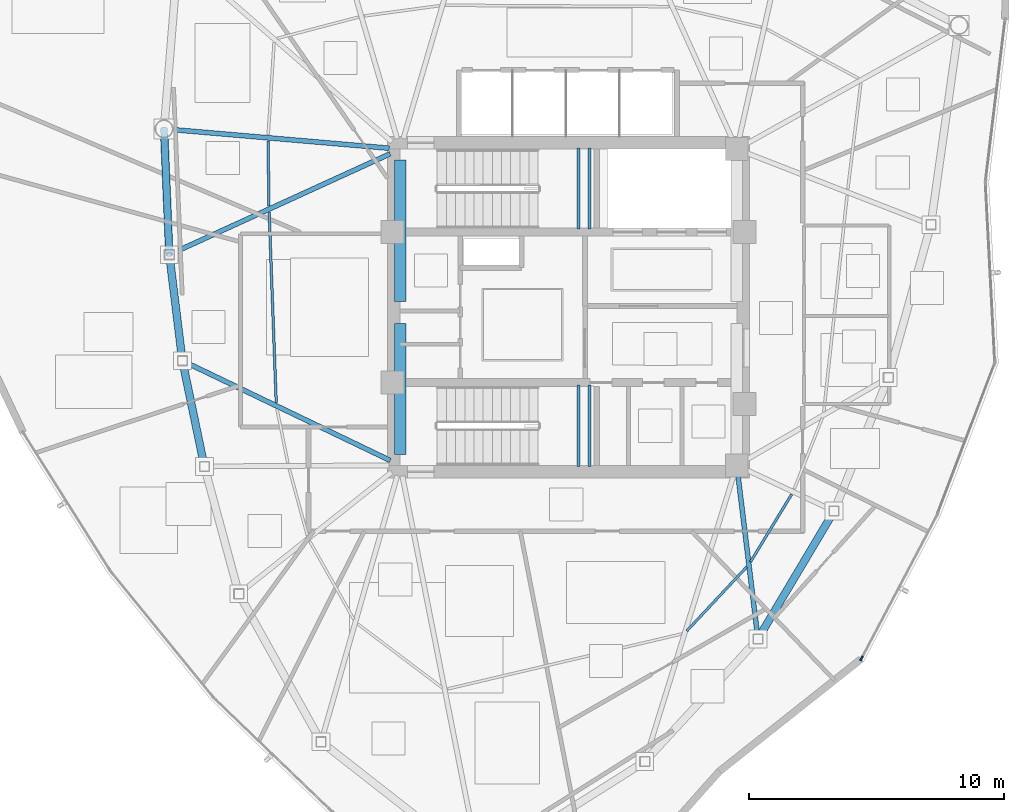
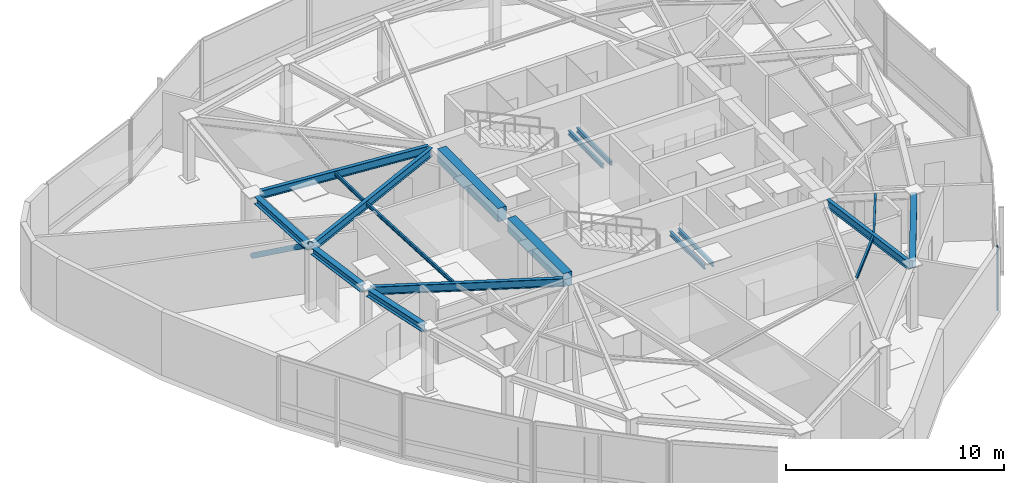
# One storey, part 3 of 12: 18 beams, 2 members, 1 element without a shape of its own.
"""IFC4 building model written with IfcOpenShell, lengths in metres."""

import ifcopenshell
import ifcopenshell.guid

model = None  # the IFC model being written
_history = None  # IfcOwnerHistory: only IFC2X3 demands one
_inside = {}  # id of a spatial element -> (the spatial element, [elements in it])
_under = {}  # id of a project, library or spatial element -> (it, [spatial elements below it])
_declared = {}  # id of a project -> (the project, [libraries it declares])
_typed = {}  # id of a type object -> (the type object, [elements of that type])
_made_of = {}  # id of a material, layer set ... -> (it, [elements and type objects made of it])


def new_model(schema):
    """Start an empty IFC model of exactly this schema.

    Asked for "IFC4X3", IfcOpenShell would pick the latest addendum, in which some entities
    have other attributes; the version numbers below select the first issue.
    IFC2X3 requires an IfcOwnerHistory on every rooted entity: one is made here for all.
    """
    global model, _history
    if schema == "IFC4X3":
        model = ifcopenshell.file(schema_version=(4, 3, 0, 0))
    else:
        model = ifcopenshell.file(schema=schema)
    _inside.clear()
    _under.clear()
    _declared.clear()
    _typed.clear()
    _made_of.clear()
    _history = None
    if model.schema == "IFC2X3":
        org = make("IfcOrganization", Name="unknown")
        user = make(
            "IfcPersonAndOrganization",
            ThePerson=make("IfcPerson", FamilyName="unknown"),
            TheOrganization=org,
        )
        app = make(
            "IfcApplication",
            ApplicationDeveloper=org,
            Version="unknown",
            ApplicationFullName="unknown",
            ApplicationIdentifier="unknown",
        )
        _history = make(
            "IfcOwnerHistory",
            OwningUser=user,
            OwningApplication=app,
            ChangeAction="ADDED",
            CreationDate=0,
        )
    return model


def make(cls, **values):
    """One entity of the class cls with the attributes given. An attribute that is None is left unset."""
    return model.create_entity(
        cls, **{name: value for name, value in values.items() if value is not None}
    )


def rooted(cls, **values):
    """An entity with a GlobalId (a new one), such as an element, a storey or a relation."""
    return make(cls, GlobalId=ifcopenshell.guid.new(), OwnerHistory=_history, **values)


def si_unit(unit_type, name, prefix=None):
    """IfcSIUnit, for example si_unit("LENGTHUNIT", "METRE", prefix="MILLI")."""
    return make("IfcSIUnit", UnitType=unit_type, Prefix=prefix, Name=name)


def assignment(units):
    """IfcUnitAssignment: the units of a project."""
    return None if units is None else make("IfcUnitAssignment", Units=units)


def point(xyz):
    """IfcCartesianPoint."""
    return None if xyz is None else make("IfcCartesianPoint", Coordinates=xyz)


def direction(xyz):
    """IfcDirection."""
    return None if xyz is None else make("IfcDirection", DirectionRatios=xyz)


def frame(location, z_axis=None, x_axis=None):
    """IfcAxis2Placement3D, a coordinate frame: its origin and axes. An axis left out is left unset."""
    return make(
        "IfcAxis2Placement3D",
        Location=point(location),
        Axis=direction(z_axis),
        RefDirection=direction(x_axis),
    )


def frame_2d(location, x_axis=None):
    """IfcAxis2Placement2D, a coordinate frame in the plane: its origin and x axis."""
    return make(
        "IfcAxis2Placement2D", Location=point(location), RefDirection=direction(x_axis)
    )


def origin():
    """The frame at (0, 0, 0) with its axes left unset."""
    return frame((0.0, 0.0, 0.0))


def origin_2d():
    """The frame at (0, 0) in the plane with its x axis left unset."""
    return frame_2d((0.0, 0.0))


def place(relative_to, where):
    """IfcLocalPlacement: puts the frame where relative to a parent placement (None: the world)."""
    return make(
        "IfcLocalPlacement", PlacementRelTo=relative_to, RelativePlacement=where
    )


def context(
    kind, dimensions, precision=None, world=None, true_north=None, identifier=None
):
    """IfcGeometricRepresentationContext, for example the 3D "Model" context."""
    return make(
        "IfcGeometricRepresentationContext",
        ContextIdentifier=identifier,
        ContextType=kind,
        CoordinateSpaceDimension=dimensions,
        Precision=precision,
        WorldCoordinateSystem=world,
        TrueNorth=true_north,
    )


def subcontext(parent, identifier, kind, view, scale=None):
    """IfcGeometricRepresentationSubContext, for example "Body" below "Model"."""
    return make(
        "IfcGeometricRepresentationSubContext",
        ContextIdentifier=identifier,
        ContextType=kind,
        ParentContext=parent,
        TargetScale=scale,
        TargetView=view,
    )


def project(units=None, contexts=None):
    """IfcProject with its units and contexts."""
    return rooted(
        "IfcProject",
        Name="project",
        RepresentationContexts=contexts,
        UnitsInContext=assignment(units),
    )


def spatial(cls, under=None, at=None, **own):
    """A site, building, storey or space (cls), placed at a placement, below another one or the project."""
    s = rooted(cls, ObjectPlacement=at, **own)
    if under is not None:
        _under.setdefault(under.id(), (under, []))[1].append(s)
    return s


def profile(cls, at=None, kind="AREA", **sizes):
    """A parametric profile (cls). Its sizes go by their IFC names, for example OverallWidth=200.0."""
    return make(cls, ProfileType=kind, Position=at, **sizes)


def rectangle(**sizes):
    """IfcRectangleProfileDef."""
    return profile("IfcRectangleProfileDef", **sizes)


def hollow_rectangle(**sizes):
    """IfcRectangleHollowProfileDef."""
    return profile("IfcRectangleHollowProfileDef", **sizes)


def hollow_circle(**sizes):
    """IfcCircleHollowProfileDef."""
    return profile("IfcCircleHollowProfileDef", **sizes)


def i_section(**sizes):
    """IfcIShapeProfileDef."""
    return profile("IfcIShapeProfileDef", **sizes)


def extrude(swept, where, along, depth):
    """IfcExtrudedAreaSolid: the profile swept, set in the frame where, extruded along a direction by depth."""
    return make(
        "IfcExtrudedAreaSolid",
        SweptArea=swept,
        Position=where,
        ExtrudedDirection=direction(along),
        Depth=depth,
    )


def shape(context_of_items, identifier, shape_type, items):
    """IfcShapeRepresentation: the items that make up one representation, for example the "Body"."""
    return make(
        "IfcShapeRepresentation",
        ContextOfItems=context_of_items,
        RepresentationIdentifier=identifier,
        RepresentationType=shape_type,
        Items=items,
    )


def source(mapping_origin, context_of_items, identifier, shape_type, items):
    """IfcRepresentationMap: a shape defined once, which mapped items show again and again."""
    return make(
        "IfcRepresentationMap",
        MappingOrigin=mapping_origin,
        MappedRepresentation=shape(context_of_items, identifier, shape_type, items),
    )


def transform(
    local_origin,
    x_axis=None,
    y_axis=None,
    z_axis=None,
    scale=None,
    scale2=None,
    scale3=None,
    uniform=True,
):
    """IfcCartesianTransformationOperator3D, or its non-uniform kind. x_axis, y_axis, z_axis: its Axis1, 2, 3."""
    if uniform:
        return make(
            "IfcCartesianTransformationOperator3D",
            Axis1=direction(x_axis),
            Axis2=direction(y_axis),
            LocalOrigin=point(local_origin),
            Scale=scale,
            Axis3=direction(z_axis),
        )
    return make(
        "IfcCartesianTransformationOperator3DnonUniform",
        Axis1=direction(x_axis),
        Axis2=direction(y_axis),
        LocalOrigin=point(local_origin),
        Scale=scale,
        Axis3=direction(z_axis),
        Scale2=scale2,
        Scale3=scale3,
    )


def mapped(mapping_source, mapping_target):
    """IfcMappedItem: shows the shape of a source again, moved by a transform."""
    return make(
        "IfcMappedItem", MappingSource=mapping_source, MappingTarget=mapping_target
    )


def material(Name=None, Category=None):
    """IfcMaterial."""
    return make("IfcMaterial", Name=Name, Category=Category)


def layer(
    of_material, thickness, ventilated=None, Name=None, Category=None, Priority=None
):
    """IfcMaterialLayer: one layer of a wall or slab, of a material (None: an air gap)."""
    return make(
        "IfcMaterialLayer",
        Material=of_material,
        LayerThickness=thickness,
        IsVentilated=ventilated,
        Name=Name,
        Category=Category,
        Priority=Priority,
    )


def layer_set(layers, Name=None):
    """IfcMaterialLayerSet."""
    return make("IfcMaterialLayerSet", MaterialLayers=layers, LayerSetName=Name)


def material_profile(
    of_material, cross_section, Name=None, Category=None, Priority=None
):
    """IfcMaterialProfile: a cross section and its material."""
    return make(
        "IfcMaterialProfile",
        Name=Name,
        Material=of_material,
        Profile=cross_section,
        Priority=Priority,
        Category=Category,
    )


def profile_set(profiles, Name=None, composite=None):
    """IfcMaterialProfileSet."""
    return make(
        "IfcMaterialProfileSet",
        Name=Name,
        MaterialProfiles=profiles,
        CompositeProfile=composite,
    )


def made_of(thing, what):
    """Note that an element or type object is made of a material, layer set ...; save() writes the relation."""
    if what is not None:
        _made_of.setdefault(what.id(), (what, []))[1].append(thing)
    return thing


def type_object(cls, material=None, **own):
    """A type object (cls), such as IfcWallType, which elements share."""
    return made_of(rooted(cls, **own), material)


def type_shapes(of_type, sources):
    """Give a type object the sources (RepresentationMaps) that its elements show as mapped items."""
    of_type.RepresentationMaps = sources


def element(
    cls,
    number,
    at=None,
    inside=None,
    cuts=None,
    type_object=None,
    material=None,
    context=None,
    identifier="Body",
    shape_type=None,
    held_by="IfcProductDefinitionShape",
    body=None,
    shapes=None,
    **own,
):
    """One element of the class cls, such as IfcWall. Its Tag is "e" and its number.

    at: its placement. inside: the storey or other place that contains it. cuts: it is an
    opening in that element (IfcRelVoidsElement). A single representation is given by context,
    identifier, shape_type and body (its items); several are given by shapes. held_by: the class
    of the entity that holds the representations. save() writes the other relations.
    """
    e = rooted(cls, Tag="e%d" % number, ObjectPlacement=at, **own)
    if body is not None:
        shapes = [shape(context, identifier, shape_type, body)]
    if shapes is not None:
        e.Representation = make(held_by, Representations=shapes)
    if inside is not None:
        _inside.setdefault(inside.id(), (inside, []))[1].append(e)
    if cuts is not None:
        rooted(
            "IfcRelVoidsElement", RelatingBuildingElement=cuts, RelatedOpeningElement=e
        )
    if type_object is not None:
        _typed.setdefault(type_object.id(), (type_object, []))[1].append(e)
    return made_of(e, material)


def aggregate(whole, parts):
    """IfcRelAggregates: a whole, such as a stair, and the parts it consists of."""
    return rooted("IfcRelAggregates", RelatingObject=whole, RelatedObjects=parts)


def save(model, path):
    """Write the relations noted so far, then the file.

    IfcRelAggregates (storeys below a building ...), IfcRelContainedInSpatialStructure (elements
    in a storey), IfcRelDefinesByType, IfcRelAssociatesMaterial and IfcRelDeclares: one each for
    every whole, place, type object, material and project.
    """
    for whole, parts in _under.values():
        aggregate(whole, parts)
    for where, things in _inside.values():
        rooted(
            "IfcRelContainedInSpatialStructure",
            RelatedElements=things,
            RelatingStructure=where,
        )
    for kind, things in _typed.values():
        rooted("IfcRelDefinesByType", RelatedObjects=things, RelatingType=kind)
    for what, things in _made_of.values():
        rooted("IfcRelAssociatesMaterial", RelatedObjects=things, RelatingMaterial=what)
    for by, libraries in _declared.values():
        rooted("IfcRelDeclares", RelatingContext=by, RelatedDefinitions=libraries)
    model.write(path)


model = new_model("IFC4")

# Units and contexts
model_context = context("Model", 3, precision=1e-05, world=origin(), true_north=direction((0.0, 1.0)))
body_context = subcontext(model_context, "Body", "Model", "MODEL_VIEW")
ifc_project = project(units=[si_unit("LENGTHUNIT", "METRE"), si_unit("AREAUNIT", "SQUARE_METRE"), si_unit("VOLUMEUNIT", "CUBIC_METRE"), si_unit("PLANEANGLEUNIT", "RADIAN"), si_unit("MASSUNIT", "GRAM", prefix="KILO")], contexts=[model_context])

# Site, building, storey
site_placement = place(None, origin())
site = spatial("IfcSite", under=ifc_project, at=site_placement, CompositionType="ELEMENT")
building_placement = place(site_placement, origin())
building = spatial("IfcBuilding", under=site, at=building_placement, Name="Tavelor Broadcast Tower", CompositionType="ELEMENT")
storey_placement = place(building_placement, frame((0.0, 0.0, 321.5)))
storey = spatial("IfcBuildingStorey", under=building, at=storey_placement, Name="L77", CompositionType="ELEMENT", Elevation=321.5)

# Beams
ifc_material_1 = material(Name="Concrete C40/50", Category="concrete")
ifc_material_profile_1 = material_profile(ifc_material_1, rectangle(XDim=0.449951171875, YDim=0.75, at=origin_2d()), Name="RC 450x750")
ifc_profile_set_1 = profile_set([ifc_material_profile_1], Name="Concrete C40/50")
beam_type_1 = type_object("IfcBeamType", Name="Basement Core Trim Beam 450x750", PredefinedType="BEAM", material=ifc_profile_set_1)
beam_1_placement = place(storey_placement, frame((43.39990234375, 45.23193359375, 3.175048828125), z_axis=(0.0, 1.0, 0.0), x_axis=(-1.0, 0.0, 0.0)))
element("IfcBeam", 1, at=beam_1_placement, inside=storey, type_object=beam_type_1, Name="L77 Core West-N Tie Girder", PredefinedType="BEAM", context=body_context, shape_type="SweptSolid", body=[
    extrude(rectangle(XDim=0.449951171875, YDim=0.75, at=origin_2d()), origin(), (0.0, 0.0, 1.0), 5.5361328125),
])
beam_2_placement = place(storey_placement, frame((43.39990234375, 39.23193359375, 3.175048828125), z_axis=(0.0, 1.0, 0.0), x_axis=(-1.0, 0.0, 0.0)))
element("IfcBeam", 2, at=beam_2_placement, inside=storey, type_object=beam_type_1, Name="L77 Core West-S Tie Girder", PredefinedType="BEAM", context=body_context, shape_type="SweptSolid", body=[
    extrude(rectangle(XDim=0.449951171875, YDim=0.75, at=origin_2d()), origin(), (0.0, 0.0, 1.0), 5.135986328125),
])
ifc_material_2 = material(Name="Steel S355", Category="steel")
ifc_material_profile_2 = material_profile(ifc_material_2, i_section(OverallWidth=0.10009765625, OverallDepth=0.199951171875, WebThickness=0.005615234375, FlangeThickness=0.008544921875, at=origin_2d()), Name="IPE 200")
ifc_profile_set_2 = profile_set([ifc_material_profile_2], Name="Steel S355")
beam_type_2 = type_object("IfcBeamType", Name="Composite Floor Joist T8 IPE 200", PredefinedType="JOIST", material=ifc_profile_set_2)
beam_3_placement = place(storey_placement, frame((38.21435546875, 51.521728515625, 3.449951171875), z_axis=(0.014168036859, -0.999899628329, 0.0), x_axis=(0.999899628329, 0.014168036859, 0.0)))
element("IfcBeam", 3, at=beam_3_placement, inside=storey, type_object=beam_type_2, Name="L77 Secondary Composite Floor Joist 01", PredefinedType="JOIST", context=body_context, shape_type="SweptSolid", body=[
    extrude(i_section(OverallWidth=0.10009765625, OverallDepth=0.199951171875, WebThickness=0.005615234375, FlangeThickness=0.008544921875, at=origin_2d()), origin(), (0.0, 0.0, 1.0), 2.55029296875),
])
beam_4_placement = place(storey_placement, frame((38.2568359375, 48.72412109375, 3.449951171875), z_axis=(0.037276284898, -0.999304997778, 0.0), x_axis=(0.999304997778, 0.037276284898, 0.0)))
element("IfcBeam", 4, at=beam_4_placement, inside=storey, type_object=beam_type_2, Name="L77 Secondary Composite Floor Joist 02", PredefinedType="JOIST", context=body_context, shape_type="SweptSolid", body=[
    extrude(i_section(OverallWidth=0.10009765625, OverallDepth=0.199951171875, WebThickness=0.005615234375, FlangeThickness=0.008544921875, at=origin_2d()), origin(), (0.0, 0.0, 1.0), 7.472900390625),
])
beam_5_placement = place(storey_placement, frame((54.64013671875, 32.302490234375, 3.449951171875), z_axis=(0.683232798119, 0.730200618717, 0.0), x_axis=(-0.730200618717, 0.683232798119, 0.0)))
element("IfcBeam", 5, at=beam_5_placement, inside=storey, type_object=beam_type_2, Name="L77 Secondary Composite Floor Joist 08", PredefinedType="JOIST", context=body_context, shape_type="SweptSolid", body=[
    extrude(i_section(OverallWidth=0.10009765625, OverallDepth=0.199951171875, WebThickness=0.005615234375, FlangeThickness=0.008544921875, at=origin_2d()), origin(), (0.0, 0.0, 1.0), 3.441162109375),
])
beam_6_placement = place(storey_placement, frame((57.139892578125, 35.011474609375, 3.449951171875), z_axis=(0.519987009808, 0.854174168206, 0.0), x_axis=(-0.854174168206, 0.519987009808, 0.0)))
element("IfcBeam", 6, at=beam_6_placement, inside=storey, type_object=beam_type_2, Name="L77 Secondary Composite Floor Joist 09", PredefinedType="JOIST", context=body_context, shape_type="SweptSolid", body=[
    extrude(i_section(OverallWidth=0.10009765625, OverallDepth=0.199951171875, WebThickness=0.005615234375, FlangeThickness=0.008544921875, at=origin_2d()), origin(), (0.0, 0.0, 1.0), 3.09326171875),
])
ifc_material_profile_3 = material_profile(ifc_material_2, i_section(OverallWidth=0.300048828125, OverallDepth=0.39990234375, WebThickness=0.013427734375, FlangeThickness=0.02392578125, at=origin_2d()), Name="HEB 400")
ifc_profile_set_3 = profile_set([ifc_material_profile_3], Name="Steel S355")
beam_type_3 = type_object("IfcBeamType", Name="Perimeter Spandrel Beam T8 HEB 400", PredefinedType="SPANDREL", material=ifc_profile_set_3)
beam_7_placement = place(storey_placement, frame((34.149169921875, 51.65478515625, 3.35009765625), z_axis=(0.041837988246, -0.999124408039, 0.0), x_axis=(0.999124408039, 0.041837988246, 0.0)))
element("IfcBeam", 7, at=beam_7_placement, inside=storey, type_object=beam_type_3, Name="L77 Framed-Tube Ring Spandrel 01", PredefinedType="SPANDREL", context=body_context, shape_type="SweptSolid", body=[
    extrude(i_section(OverallWidth=0.300048828125, OverallDepth=0.39990234375, WebThickness=0.013427734375, FlangeThickness=0.02392578125, at=origin_2d()), origin(), (0.0, 0.0, 1.0), 4.40576171875),
])
beam_8_placement = place(storey_placement, frame((34.364990234375, 46.87060546875, 3.35009765625), z_axis=(0.122298070905, -0.992493416529, 0.0), x_axis=(0.992493416529, 0.122298070905, 0.0)))
element("IfcBeam", 8, at=beam_8_placement, inside=storey, type_object=beam_type_3, Name="L77 Framed-Tube Ring Spandrel 02", PredefinedType="SPANDREL", context=body_context, shape_type="SweptSolid", body=[
    extrude(i_section(OverallWidth=0.300048828125, OverallDepth=0.39990234375, WebThickness=0.013427734375, FlangeThickness=0.02392578125, at=origin_2d()), origin(), (0.0, 0.0, 1.0), 3.806884765625),
])
beam_9_placement = place(storey_placement, frame((34.893310546875, 42.7138671875, 3.35009765625), z_axis=(0.203708583251, -0.979031569006, 0.0), x_axis=(0.979031569006, 0.203708583251, 0.0)))
element("IfcBeam", 9, at=beam_9_placement, inside=storey, type_object=beam_type_3, Name="L77 Framed-Tube Ring Spandrel 03", PredefinedType="SPANDREL", context=body_context, shape_type="SweptSolid", body=[
    extrude(i_section(OverallWidth=0.300048828125, OverallDepth=0.39990234375, WebThickness=0.013427734375, FlangeThickness=0.02392578125, at=origin_2d()), origin(), (0.0, 0.0, 1.0), 3.849609375),
])
beam_10_placement = place(storey_placement, frame((57.52978515625, 32.156982421875, 3.35009765625), z_axis=(0.511792514175, 0.859109086458, 0.0), x_axis=(-0.859109086458, 0.511792514175, 0.0)))
element("IfcBeam", 10, at=beam_10_placement, inside=storey, type_object=beam_type_3, Name="L77 Framed-Tube Ring Spandrel 09", PredefinedType="SPANDREL", context=body_context, shape_type="SweptSolid", body=[
    extrude(i_section(OverallWidth=0.300048828125, OverallDepth=0.39990234375, WebThickness=0.013427734375, FlangeThickness=0.02392578125, at=origin_2d()), origin(), (0.0, 0.0, 1.0), 5.450439453125),
])

# Member
ifc_material_profile_4 = material_profile(ifc_material_2, hollow_circle(Radius=0.136474609375, WallThickness=0.012451171875, at=origin_2d()), Name="CHS 273x12.5")
ifc_profile_set_4 = profile_set([ifc_material_profile_4], Name="Steel S355")
member_type_1 = type_object("IfcMemberType", Name="Perimeter Tube Brace T8 CHS 273x12.5", PredefinedType="BRACE", material=ifc_profile_set_4)
member_1_placement = place(storey_placement, frame((34.134765625, 51.995849609375, 0.0), z_axis=(0.033997616695, -0.811286692611, 0.583659202318), x_axis=(0.999123106787, 0.041869051625, 0.0)))
element("IfcMember", 11, at=member_1_placement, inside=storey, type_object=member_type_1, Name="L77 Corner Tube Diagonal Brace 1", PredefinedType="BRACE", context=body_context, shape_type="SweptSolid", body=[
    extrude(hollow_circle(Radius=0.136474609375, WallThickness=0.012451171875, at=origin_2d()), origin(), (0.0, 0.0, 1.0), 6.08251953125),
])

# Beams
ifc_material_profile_5 = material_profile(ifc_material_2, i_section(OverallWidth=0.18994140625, OverallDepth=0.449951171875, WebThickness=0.009521484375, FlangeThickness=0.0146484375, at=origin_2d()), Name="IPE 450")
ifc_profile_set_5 = profile_set([ifc_material_profile_5], Name="Steel S355")
beam_type_4 = type_object("IfcBeamType", Name="Radial Floor Girder T8 IPE 450", PredefinedType="BEAM", material=ifc_profile_set_5)
beam_11_placement = place(storey_placement, frame((42.969482421875, 51.237060546875, 3.324951171875), z_axis=(-0.99633041069, 0.085590377581, 0.0), x_axis=(-0.085590377581, -0.99633041069, 0.0)))
element("IfcBeam", 12, at=beam_11_placement, inside=storey, type_object=beam_type_4, Name="L77 Radial Primary Floor Girder 01", PredefinedType="BEAM", context=body_context, shape_type="SweptSolid", body=[
    extrude(i_section(OverallWidth=0.18994140625, OverallDepth=0.449951171875, WebThickness=0.009521484375, FlangeThickness=0.0146484375, at=origin_2d()), origin(), (0.0, 0.0, 1.0), 8.52587890625),
])
beam_12_placement = place(storey_placement, frame((43.007080078125, 51.0205078125, 3.324951171875), z_axis=(-0.909563172595, -0.4155656808, 0.0), x_axis=(0.4155656808, -0.909563172595, 0.0)))
element("IfcBeam", 13, at=beam_12_placement, inside=storey, type_object=beam_type_4, Name="L77 Radial Primary Floor Girder 02", PredefinedType="BEAM", context=body_context, shape_type="SweptSolid", body=[
    extrude(i_section(OverallWidth=0.18994140625, OverallDepth=0.449951171875, WebThickness=0.009521484375, FlangeThickness=0.0146484375, at=origin_2d()), origin(), (0.0, 0.0, 1.0), 9.335205078125),
])
beam_13_placement = place(storey_placement, frame((43.010498046875, 38.98681640625, 3.324951171875), z_axis=(-0.901533812655, 0.432708660233, 0.0), x_axis=(-0.432708660233, -0.901533812655, 0.0)))
element("IfcBeam", 14, at=beam_13_placement, inside=storey, type_object=beam_type_4, Name="L77 Radial Primary Floor Girder 03", PredefinedType="BEAM", context=body_context, shape_type="SweptSolid", body=[
    extrude(i_section(OverallWidth=0.18994140625, OverallDepth=0.449951171875, WebThickness=0.009521484375, FlangeThickness=0.0146484375, at=origin_2d()), origin(), (0.0, 0.0, 1.0), 8.85546875),
])
beam_14_placement = place(storey_placement, frame((56.65234375, 38.37109375, 3.324951171875), z_axis=(0.121238833005, -0.992623365316, 0.0), x_axis=(0.992623365316, 0.121238833005, 0.0)))
element("IfcBeam", 15, at=beam_14_placement, inside=storey, type_object=beam_type_4, Name="L77 Radial Primary Floor Girder 09", PredefinedType="BEAM", context=body_context, shape_type="SweptSolid", body=[
    extrude(i_section(OverallWidth=0.18994140625, OverallDepth=0.449951171875, WebThickness=0.009521484375, FlangeThickness=0.0146484375, at=origin_2d()), origin(), (0.0, 0.0, 1.0), 6.234375),
])
ifc_material_profile_6 = material_profile(ifc_material_2, i_section(OverallWidth=0.1201171875, OverallDepth=0.239990234375, WebThickness=0.006103515625, FlangeThickness=0.009765625, at=origin_2d()), Name="IPE 240")
ifc_profile_set_6 = profile_set([ifc_material_profile_6], Name="Steel S355")
beam_type_5 = type_object("IfcBeamType", Name="Stairwell Landing Support Trimmer Beam IPE240", PredefinedType="BEAM", material=ifc_profile_set_6)
for number, where, z_axis, x_axis, name in (
    (16, (50.385009765625, 48.06005859375, 1.68505859375), (0.0, 1.0, 0.0), (-1.0, 0.0, 0.0), "L77 Stair Landing Support Beam 195"),
    (17, (50.824951171875, 48.06005859375, 1.68505859375), (0.0, 1.0, 0.0), (-1.0, 0.0, 0.0), "L77 Stair Landing Support Beam 196"),
    (18, (50.385009765625, 38.760009765625, 1.68505859375), (0.0, 1.0, 0.0), (-1.0, 0.0, 0.0), "L77 Stair Landing Support Beam 409"),
    (19, (50.824951171875, 38.760009765625, 1.68505859375), (0.0, 1.0, 0.0), (-1.0, 0.0, 0.0), "L77 Stair Landing Support Beam 410"),
):
    element("IfcBeam", number, at=place(storey_placement, frame(where, z_axis=z_axis, x_axis=x_axis)), inside=storey, type_object=beam_type_5, Name=name, PredefinedType="BEAM", context=body_context, shape_type="SweptSolid", body=[
        extrude(i_section(OverallWidth=0.1201171875, OverallDepth=0.239990234375, WebThickness=0.006103515625, FlangeThickness=0.009765625, at=origin_2d()), origin(), (0.0, 0.0, 1.0), 3.179931640625),
    ])

# Curtain wall, member
ifc_material_3 = material(Name="Architectural Anodized Aluminium", Category="aluminium")
ifc_layer = layer(ifc_material_3, 0.199951171875)
ifc_layer_set = layer_set([ifc_layer], Name="Architectural Anodized Aluminium")
curtain_wall_type = type_object("IfcCurtainWallType", Name="Tower High-Zone Triple-Glazed Curtain Wall CW04", PredefinedType="NOTDEFINED", material=ifc_layer_set)
curtain_wall_placement = place(storey_placement, origin())
curtain_wall = element("IfcCurtainWall", 20, at=curtain_wall_placement, inside=storey, type_object=curtain_wall_type, Name="L77 Curtain Wall CW04 Run 857", PredefinedType="NOTDEFINED")
ifc_material_profile_7 = material_profile(ifc_material_3, hollow_rectangle(XDim=0.070068359375, YDim=0.199951171875, WallThickness=0.02197265625, at=origin_2d()), Name="RHS 70x200x22")
ifc_profile_set_7 = profile_set([ifc_material_profile_7], Name="Architectural Anodized Aluminium")
member_type_2 = type_object("IfcMemberType", Name="CW04 Extruded Aluminium Mullion 70x200", PredefinedType="MULLION", material=ifc_profile_set_7)
shared_shape = source(origin(), body_context, "Body", "SweptSolid", [
    extrude(hollow_rectangle(XDim=0.070068359375, YDim=0.199951171875, WallThickness=0.02197265625, at=origin_2d()), origin(), (0.0, 0.0, 1.0), 3.550048828125),
])
type_shapes(member_type_2, [shared_shape])
member_2_placement = place(storey_placement, frame((61.490478515625, 31.224853515625, 0.0), z_axis=(0.0, 0.0, 1.0), x_axis=(-0.884777002433, 0.466014652094, 0.0)))
member_2 = element("IfcMember", 21, at=member_2_placement, type_object=member_type_2, Name="CW04 mullion 1", PredefinedType="MULLION", context=body_context, shape_type="MappedRepresentation", body=[
    mapped(shared_shape, transform((0.0, 0.0, 0.0), scale=1.0)),
])
aggregate(curtain_wall, [member_2])

save(model, "model.ifc")
